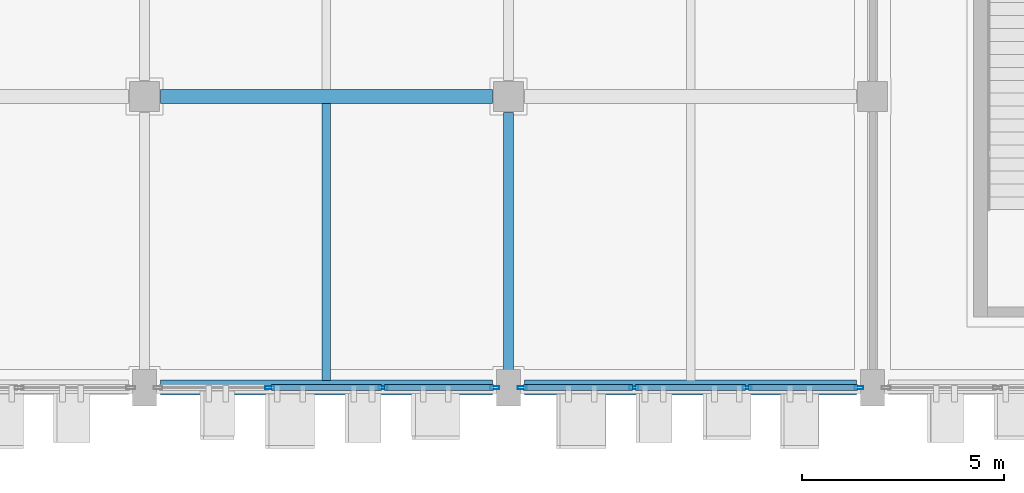
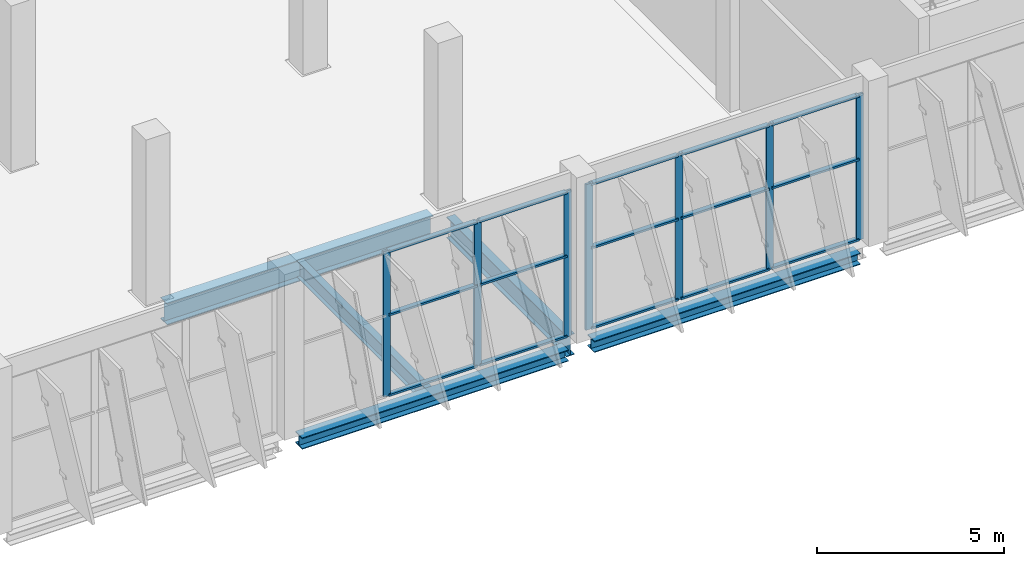
# One storey, part 45 of 137: 22 members, 5 beams, 2 elements without a shape of their own.
"""IFC4 building model written with IfcOpenShell, lengths in metres."""

from ifc_helpers import new_model, si_unit, direction, frame, origin, origin_2d, place, context, subcontext, project, spatial, hollow_rectangle, i_section, extrude, material, layer, layer_set, material_profile, profile_set, type_object, element, aggregate, save


model = new_model("IFC4")

# Units and contexts
model_context = context("Model", 3, precision=1e-05, world=origin(), true_north=direction((0.0, 1.0)))
body_context = subcontext(model_context, "Body", "Model", "MODEL_VIEW")
ifc_project = project(units=[si_unit("LENGTHUNIT", "METRE"), si_unit("AREAUNIT", "SQUARE_METRE"), si_unit("VOLUMEUNIT", "CUBIC_METRE"), si_unit("PLANEANGLEUNIT", "RADIAN"), si_unit("MASSUNIT", "GRAM", prefix="KILO")], contexts=[model_context])

# Site, building, storey
site_placement = place(None, origin())
site = spatial("IfcSite", under=ifc_project, at=site_placement, CompositionType="ELEMENT")
building_placement = place(site_placement, origin())
building = spatial("IfcBuilding", under=site, at=building_placement, Name="Celestram Park Convention Centre", CompositionType="ELEMENT")
storey_placement = place(building_placement, origin())
storey = spatial("IfcBuildingStorey", under=building, at=storey_placement, Name="L00", CompositionType="ELEMENT", Elevation=0.0)

# Curtain wall, members
ifc_material_1 = material(Name="Anodised Aluminium Alloy 6063-T6", Category="aluminium")
ifc_layer = layer(ifc_material_1, 0.179931640625)
ifc_layer_set = layer_set([ifc_layer], Name="Anodised Aluminium Alloy 6063-T6")
curtain_wall_type = type_object("IfcCurtainWallType", Name="ARC-CW-840X475", PredefinedType="NOTDEFINED", material=ifc_layer_set)
curtain_wall_1_placement = place(storey_placement, origin())
curtain_wall_1 = element("IfcCurtainWall", 1, at=curtain_wall_1_placement, inside=storey, type_object=curtain_wall_type, Name="Unitised curtain wall CU-L00-027", PredefinedType="NOTDEFINED")
ifc_material_profile_1 = material_profile(ifc_material_1, hollow_rectangle(XDim=0.074951171875, YDim=0.219970703125, WallThickness=0.00390625, at=origin_2d()), Name="ALU75X220X4")
ifc_profile_set_1 = profile_set([ifc_material_profile_1], Name="Anodised Aluminium Alloy 6063-T6")
member_type_1 = type_object("IfcMemberType", Name="ARC-CWM-180", PredefinedType="MULLION", material=ifc_profile_set_1)
member_1_placement = place(storey_placement, frame((206.66455078125, 0.0, 0.0), z_axis=(0.0, 0.0, 1.0), x_axis=(0.0, -1.0, 0.0)))
member_1 = element("IfcMember", 2, at=member_1_placement, type_object=member_type_1, Name="CW-84X47 mullion 1", PredefinedType="MULLION", context=body_context, shape_type="SweptSolid", body=[
    extrude(hollow_rectangle(XDim=0.074951171875, YDim=0.219970703125, WallThickness=0.00390625, at=origin_2d()), origin(), (0.0, 0.0, 1.0), 4.7470703125),
])
member_2_placement = place(storey_placement, frame((203.900634765625, 0.0, 0.0), z_axis=(0.0, 0.0, 1.0), x_axis=(0.0, -1.0, 0.0)))
member_2 = element("IfcMember", 3, at=member_2_placement, type_object=member_type_1, Name="CW-84X47 mullion 2", PredefinedType="MULLION", context=body_context, shape_type="SweptSolid", body=[
    extrude(hollow_rectangle(XDim=0.074951171875, YDim=0.219970703125, WallThickness=0.00390625, at=origin_2d()), origin(), (0.0, 0.0, 1.0), 4.7470703125),
])
member_3_placement = place(storey_placement, frame((201.099365234375, 0.0, 0.0), z_axis=(0.0, 0.0, 1.0), x_axis=(0.0, -1.0, 0.0)))
member_3 = element("IfcMember", 4, at=member_3_placement, type_object=member_type_1, Name="CW-84X47 mullion 3", PredefinedType="MULLION", context=body_context, shape_type="SweptSolid", body=[
    extrude(hollow_rectangle(XDim=0.074951171875, YDim=0.219970703125, WallThickness=0.00390625, at=origin_2d()), origin(), (0.0, 0.0, 1.0), 4.7470703125),
])
member_4_placement = place(storey_placement, frame((198.33544921875, 0.0, 0.0), z_axis=(0.0, 0.0, 1.0), x_axis=(0.0, -1.0, 0.0)))
member_4 = element("IfcMember", 5, at=member_4_placement, type_object=member_type_1, Name="CW-84X47 mullion 4", PredefinedType="MULLION", context=body_context, shape_type="SweptSolid", body=[
    extrude(hollow_rectangle(XDim=0.074951171875, YDim=0.219970703125, WallThickness=0.00390625, at=origin_2d()), origin(), (0.0, 0.0, 1.0), 4.7470703125),
])

curtain_wall_2_placement = place(storey_placement, origin())
curtain_wall_2 = element("IfcCurtainWall", 6, at=curtain_wall_2_placement, inside=storey, type_object=curtain_wall_type, Name="Unitised curtain wall CU-L00-028", PredefinedType="NOTDEFINED")
member_5_placement = place(storey_placement, frame((197.66455078125, 0.0, 0.0), z_axis=(0.0, 0.0, 1.0), x_axis=(0.0, -1.0, 0.0)))
member_5 = element("IfcMember", 7, at=member_5_placement, type_object=member_type_1, Name="CW-84X47 mullion 1", PredefinedType="MULLION", context=body_context, shape_type="SweptSolid", body=[
    extrude(hollow_rectangle(XDim=0.074951171875, YDim=0.219970703125, WallThickness=0.00390625, at=origin_2d()), origin(), (0.0, 0.0, 1.0), 4.7470703125),
])
member_6_placement = place(storey_placement, frame((194.900634765625, 0.0, 0.0), z_axis=(0.0, 0.0, 1.0), x_axis=(0.0, -1.0, 0.0)))
member_6 = element("IfcMember", 8, at=member_6_placement, type_object=member_type_1, Name="CW-84X47 mullion 2", PredefinedType="MULLION", context=body_context, shape_type="SweptSolid", body=[
    extrude(hollow_rectangle(XDim=0.074951171875, YDim=0.219970703125, WallThickness=0.00390625, at=origin_2d()), origin(), (0.0, 0.0, 1.0), 4.7470703125),
])
member_7_placement = place(storey_placement, frame((192.099365234375, 0.0, 0.0), z_axis=(0.0, 0.0, 1.0), x_axis=(0.0, -1.0, 0.0)))
member_7 = element("IfcMember", 9, at=member_7_placement, type_object=member_type_1, Name="CW-84X47 mullion 3", PredefinedType="MULLION", context=body_context, shape_type="SweptSolid", body=[
    extrude(hollow_rectangle(XDim=0.074951171875, YDim=0.219970703125, WallThickness=0.00390625, at=origin_2d()), origin(), (0.0, 0.0, 1.0), 4.7470703125),
])

# Member
ifc_material_profile_2 = material_profile(ifc_material_1, hollow_rectangle(XDim=0.14990234375, YDim=0.06494140625, WallThickness=0.0029296875, at=origin_2d()), Name="ALU150X65X3")
ifc_profile_set_2 = profile_set([ifc_material_profile_2], Name="Anodised Aluminium Alloy 6063-T6")
member_type_2 = type_object("IfcMemberType", Name="ARC-CWT-150", PredefinedType="USERDEFINED", material=ifc_profile_set_2)
member_8_placement = place(storey_placement, frame((206.626953125, 0.0, 0.032470703125), z_axis=(-1.0, 0.0, 0.0), x_axis=(0.0, -1.0, 0.0)))
member_8 = element("IfcMember", 10, at=member_8_placement, type_object=member_type_2, Name="CW-84X47 transom 1.1", ObjectType="TRANSOM", PredefinedType="USERDEFINED", context=body_context, shape_type="SweptSolid", body=[
    extrude(hollow_rectangle(XDim=0.14990234375, YDim=0.06494140625, WallThickness=0.0029296875, at=origin_2d()), origin(), (0.0, 0.0, 1.0), 2.688720703125),
])

member_9_placement = place(storey_placement, frame((206.626953125, 0.0, 2.64990234375), z_axis=(-1.0, 0.0, 0.0), x_axis=(0.0, -1.0, 0.0)))
member_9 = element("IfcMember", 11, at=member_9_placement, type_object=member_type_2, Name="CW-84X47 transom 1.2", ObjectType="TRANSOM", PredefinedType="USERDEFINED", context=body_context, shape_type="SweptSolid", body=[
    extrude(hollow_rectangle(XDim=0.14990234375, YDim=0.06494140625, WallThickness=0.0029296875, at=origin_2d()), origin(), (0.0, 0.0, 1.0), 2.688720703125),
])

member_10_placement = place(storey_placement, frame((206.626953125, 0.0, 4.714599609375), z_axis=(-1.0, 0.0, 0.0), x_axis=(0.0, -1.0, 0.0)))
member_10 = element("IfcMember", 12, at=member_10_placement, type_object=member_type_2, Name="CW-84X47 transom 1.3", ObjectType="TRANSOM", PredefinedType="USERDEFINED", context=body_context, shape_type="SweptSolid", body=[
    extrude(hollow_rectangle(XDim=0.14990234375, YDim=0.06494140625, WallThickness=0.0029296875, at=origin_2d()), origin(), (0.0, 0.0, 1.0), 2.688720703125),
])

member_11_placement = place(storey_placement, frame((203.86328125, 0.0, 0.032470703125), z_axis=(-1.0, 0.0, 0.0), x_axis=(0.0, -1.0, 0.0)))
member_11 = element("IfcMember", 13, at=member_11_placement, type_object=member_type_2, Name="CW-84X47 transom 2.1", ObjectType="TRANSOM", PredefinedType="USERDEFINED", context=body_context, shape_type="SweptSolid", body=[
    extrude(hollow_rectangle(XDim=0.14990234375, YDim=0.06494140625, WallThickness=0.0029296875, at=origin_2d()), origin(), (0.0, 0.0, 1.0), 2.7265625),
])

member_12_placement = place(storey_placement, frame((203.86328125, 0.0, 2.64990234375), z_axis=(-1.0, 0.0, 0.0), x_axis=(0.0, -1.0, 0.0)))
member_12 = element("IfcMember", 14, at=member_12_placement, type_object=member_type_2, Name="CW-84X47 transom 2.2", ObjectType="TRANSOM", PredefinedType="USERDEFINED", context=body_context, shape_type="SweptSolid", body=[
    extrude(hollow_rectangle(XDim=0.14990234375, YDim=0.06494140625, WallThickness=0.0029296875, at=origin_2d()), origin(), (0.0, 0.0, 1.0), 2.7265625),
])

member_13_placement = place(storey_placement, frame((203.86328125, 0.0, 4.714599609375), z_axis=(-1.0, 0.0, 0.0), x_axis=(0.0, -1.0, 0.0)))
member_13 = element("IfcMember", 15, at=member_13_placement, type_object=member_type_2, Name="CW-84X47 transom 2.3", ObjectType="TRANSOM", PredefinedType="USERDEFINED", context=body_context, shape_type="SweptSolid", body=[
    extrude(hollow_rectangle(XDim=0.14990234375, YDim=0.06494140625, WallThickness=0.0029296875, at=origin_2d()), origin(), (0.0, 0.0, 1.0), 2.7265625),
])

member_14_placement = place(storey_placement, frame((201.061767578125, 0.0, 0.032470703125), z_axis=(-1.0, 0.0, 0.0), x_axis=(0.0, -1.0, 0.0)))
member_14 = element("IfcMember", 16, at=member_14_placement, type_object=member_type_2, Name="CW-84X47 transom 3.1", ObjectType="TRANSOM", PredefinedType="USERDEFINED", context=body_context, shape_type="SweptSolid", body=[
    extrude(hollow_rectangle(XDim=0.14990234375, YDim=0.06494140625, WallThickness=0.0029296875, at=origin_2d()), origin(), (0.0, 0.0, 1.0), 2.688720703125),
])

member_15_placement = place(storey_placement, frame((201.061767578125, 0.0, 2.64990234375), z_axis=(-1.0, 0.0, 0.0), x_axis=(0.0, -1.0, 0.0)))
member_15 = element("IfcMember", 17, at=member_15_placement, type_object=member_type_2, Name="CW-84X47 transom 3.2", ObjectType="TRANSOM", PredefinedType="USERDEFINED", context=body_context, shape_type="SweptSolid", body=[
    extrude(hollow_rectangle(XDim=0.14990234375, YDim=0.06494140625, WallThickness=0.0029296875, at=origin_2d()), origin(), (0.0, 0.0, 1.0), 2.688720703125),
])

member_16_placement = place(storey_placement, frame((201.061767578125, 0.0, 4.714599609375), z_axis=(-1.0, 0.0, 0.0), x_axis=(0.0, -1.0, 0.0)))
member_16 = element("IfcMember", 18, at=member_16_placement, type_object=member_type_2, Name="CW-84X47 transom 3.3", ObjectType="TRANSOM", PredefinedType="USERDEFINED", context=body_context, shape_type="SweptSolid", body=[
    extrude(hollow_rectangle(XDim=0.14990234375, YDim=0.06494140625, WallThickness=0.0029296875, at=origin_2d()), origin(), (0.0, 0.0, 1.0), 2.688720703125),
])

aggregate(curtain_wall_1, [member_1, member_2, member_3, member_4, member_8, member_9, member_10, member_11, member_12, member_13, member_14, member_15, member_16])

member_17_placement = place(storey_placement, frame((197.626953125, 0.0, 0.032470703125), z_axis=(-1.0, 0.0, 0.0), x_axis=(0.0, -1.0, 0.0)))
member_17 = element("IfcMember", 19, at=member_17_placement, type_object=member_type_2, Name="CW-84X47 transom 1.1", ObjectType="TRANSOM", PredefinedType="USERDEFINED", context=body_context, shape_type="SweptSolid", body=[
    extrude(hollow_rectangle(XDim=0.14990234375, YDim=0.06494140625, WallThickness=0.0029296875, at=origin_2d()), origin(), (0.0, 0.0, 1.0), 2.688720703125),
])

member_18_placement = place(storey_placement, frame((197.626953125, 0.0, 2.64990234375), z_axis=(-1.0, 0.0, 0.0), x_axis=(0.0, -1.0, 0.0)))
member_18 = element("IfcMember", 20, at=member_18_placement, type_object=member_type_2, Name="CW-84X47 transom 1.2", ObjectType="TRANSOM", PredefinedType="USERDEFINED", context=body_context, shape_type="SweptSolid", body=[
    extrude(hollow_rectangle(XDim=0.14990234375, YDim=0.06494140625, WallThickness=0.0029296875, at=origin_2d()), origin(), (0.0, 0.0, 1.0), 2.688720703125),
])

member_19_placement = place(storey_placement, frame((197.626953125, 0.0, 4.714599609375), z_axis=(-1.0, 0.0, 0.0), x_axis=(0.0, -1.0, 0.0)))
member_19 = element("IfcMember", 21, at=member_19_placement, type_object=member_type_2, Name="CW-84X47 transom 1.3", ObjectType="TRANSOM", PredefinedType="USERDEFINED", context=body_context, shape_type="SweptSolid", body=[
    extrude(hollow_rectangle(XDim=0.14990234375, YDim=0.06494140625, WallThickness=0.0029296875, at=origin_2d()), origin(), (0.0, 0.0, 1.0), 2.688720703125),
])

member_20_placement = place(storey_placement, frame((194.86328125, 0.0, 0.032470703125), z_axis=(-1.0, 0.0, 0.0), x_axis=(0.0, -1.0, 0.0)))
member_20 = element("IfcMember", 22, at=member_20_placement, type_object=member_type_2, Name="CW-84X47 transom 2.1", ObjectType="TRANSOM", PredefinedType="USERDEFINED", context=body_context, shape_type="SweptSolid", body=[
    extrude(hollow_rectangle(XDim=0.14990234375, YDim=0.06494140625, WallThickness=0.0029296875, at=origin_2d()), origin(), (0.0, 0.0, 1.0), 2.7265625),
])

member_21_placement = place(storey_placement, frame((194.86328125, 0.0, 2.64990234375), z_axis=(-1.0, 0.0, 0.0), x_axis=(0.0, -1.0, 0.0)))
member_21 = element("IfcMember", 23, at=member_21_placement, type_object=member_type_2, Name="CW-84X47 transom 2.2", ObjectType="TRANSOM", PredefinedType="USERDEFINED", context=body_context, shape_type="SweptSolid", body=[
    extrude(hollow_rectangle(XDim=0.14990234375, YDim=0.06494140625, WallThickness=0.0029296875, at=origin_2d()), origin(), (0.0, 0.0, 1.0), 2.7265625),
])

member_22_placement = place(storey_placement, frame((194.86328125, 0.0, 4.714599609375), z_axis=(-1.0, 0.0, 0.0), x_axis=(0.0, -1.0, 0.0)))
member_22 = element("IfcMember", 24, at=member_22_placement, type_object=member_type_2, Name="CW-84X47 transom 2.3", ObjectType="TRANSOM", PredefinedType="USERDEFINED", context=body_context, shape_type="SweptSolid", body=[
    extrude(hollow_rectangle(XDim=0.14990234375, YDim=0.06494140625, WallThickness=0.0029296875, at=origin_2d()), origin(), (0.0, 0.0, 1.0), 2.7265625),
])

aggregate(curtain_wall_2, [member_5, member_6, member_7, member_17, member_18, member_19, member_20, member_21, member_22])

# Beams
ifc_material_2 = material(Name="Steel ASTM A992 Grade 50", Category="steel")
ifc_material_profile_3 = material_profile(ifc_material_2, i_section(OverallWidth=0.35595703125, OverallDepth=0.696044921875, WebThickness=0.015380859375, FlangeThickness=0.02490234375, at=origin_2d()), Name="W27X146")
ifc_profile_set_3 = profile_set([ifc_material_profile_3], Name="Steel ASTM A992 Grade 50")
beam_type_1 = type_object("IfcBeamType", Name="STR-BM-W27X146", PredefinedType="BEAM", material=ifc_profile_set_3)
beam_1_placement = place(storey_placement, frame((189.39794921875, 7.199951171875, -0.66796875), z_axis=(1.0, 0.0, 0.0), x_axis=(0.0, 1.0, 0.0)))
element("IfcBeam", 25, at=beam_1_placement, inside=storey, type_object=beam_type_1, Name="Primary X-girder BG-L00-0797", PredefinedType="BEAM", context=body_context, shape_type="SweptSolid", body=[
    extrude(i_section(OverallWidth=0.35595703125, OverallDepth=0.696044921875, WebThickness=0.015380859375, FlangeThickness=0.02490234375, at=origin_2d()), origin(), (0.0, 0.0, 1.0), 8.2041015625),
])
ifc_material_profile_4 = material_profile(ifc_material_2, i_section(OverallWidth=0.25390625, OverallDepth=0.68310546875, WebThickness=0.012451171875, FlangeThickness=0.01904296875, at=origin_2d()), Name="W27X94")
ifc_profile_set_4 = profile_set([ifc_material_profile_4], Name="Steel ASTM A992 Grade 50")
beam_type_2 = type_object("IfcBeamType", Name="STR-BM-W27X94", PredefinedType="BEAM", material=ifc_profile_set_4)
beam_2_placement = place(storey_placement, frame((198.0, 0.39794921875, -0.66162109375), z_axis=(0.0, 1.0, 0.0), x_axis=(-1.0, 0.0, 0.0)))
element("IfcBeam", 26, at=beam_2_placement, inside=storey, type_object=beam_type_2, Name="Primary Y-girder BG-L00-0822", PredefinedType="BEAM", context=body_context, shape_type="SweptSolid", body=[
    extrude(i_section(OverallWidth=0.25390625, OverallDepth=0.68310546875, WebThickness=0.012451171875, FlangeThickness=0.01904296875, at=origin_2d()), origin(), (0.0, 0.0, 1.0), 6.404052734375),
])
ifc_material_profile_5 = material_profile(ifc_material_2, i_section(OverallWidth=0.2099609375, OverallDepth=0.532958984375, WebThickness=0.01025390625, FlangeThickness=0.015625, at=origin_2d()), Name="W21X62")
ifc_profile_set_5 = profile_set([ifc_material_profile_5], Name="Steel ASTM A992 Grade 50")
beam_type_3 = type_object("IfcBeamType", Name="STR-JST-W21X62", PredefinedType="JOIST", material=ifc_profile_set_5)
beam_3_placement = place(storey_placement, frame((193.5, 0.181884765625, -0.58642578125), z_axis=(0.0, 1.0, 0.0), x_axis=(-1.0, 0.0, 0.0)))
element("IfcBeam", 27, at=beam_3_placement, inside=storey, type_object=beam_type_3, Name="Secondary composite joist BG-L00-1220", PredefinedType="JOIST", context=body_context, shape_type="SweptSolid", body=[
    extrude(i_section(OverallWidth=0.2099609375, OverallDepth=0.532958984375, WebThickness=0.01025390625, FlangeThickness=0.015625, at=origin_2d()), origin(), (0.0, 0.0, 1.0), 6.843994140625),
])
ifc_material_profile_6 = material_profile(ifc_material_2, i_section(OverallWidth=0.373046875, OverallDepth=0.373046875, WebThickness=0.016357421875, FlangeThickness=0.026123046875, at=origin_2d()), Name="W14X132")
ifc_profile_set_6 = profile_set([ifc_material_profile_6], Name="Steel ASTM A992 Grade 50")
beam_type_4 = type_object("IfcBeamType", Name="STR-SPN-W14X132", PredefinedType="SPANDREL", material=ifc_profile_set_6)
for number, where, z_axis, x_axis, name in (
    (28, (189.39794921875, 0.0, -0.506591796875), (1.0, 0.0, 0.0), (0.0, 1.0, 0.0), "Primary X-girder BG-L00-0795"),
    (29, (198.39794921875, 0.0, -0.506591796875), (1.0, 0.0, 0.0), (0.0, 1.0, 0.0), "Primary X-girder BG-L00-0821"),
):
    element("IfcBeam", number, at=place(storey_placement, frame(where, z_axis=z_axis, x_axis=x_axis)), inside=storey, type_object=beam_type_4, Name=name, PredefinedType="SPANDREL", context=body_context, shape_type="SweptSolid", body=[
        extrude(i_section(OverallWidth=0.373046875, OverallDepth=0.373046875, WebThickness=0.016357421875, FlangeThickness=0.026123046875, at=origin_2d()), origin(), (0.0, 0.0, 1.0), 8.2041015625),
    ])

save(model, "model.ifc")
